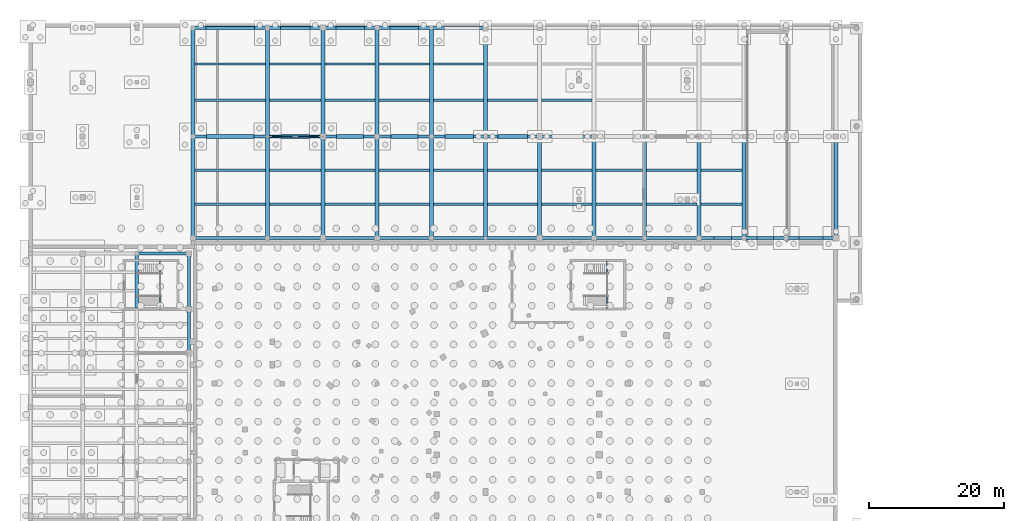
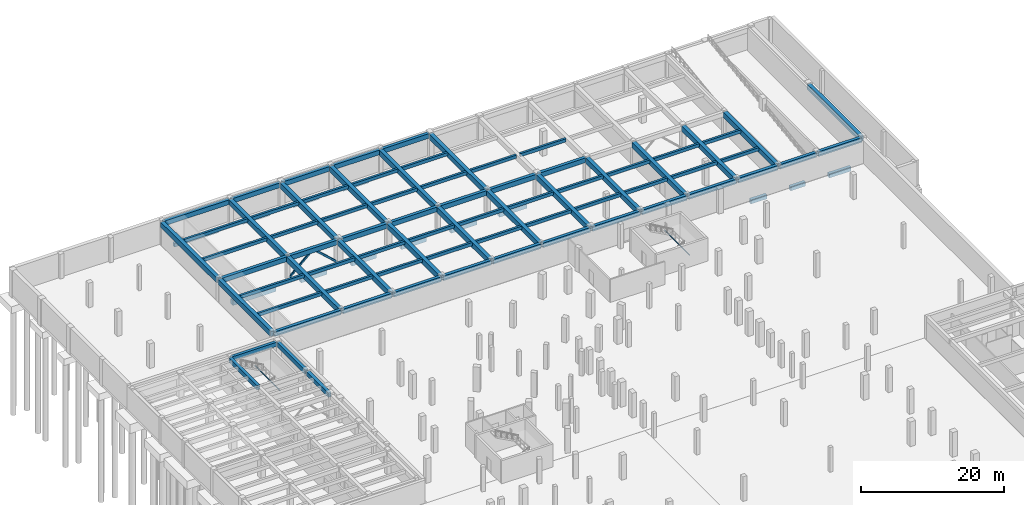
# One storey, part 11 of 36: 91 beams, 4 members.
"""IFC4 building model written with IfcOpenShell, lengths in metres."""

from ifc_helpers import new_model, si_unit, direction, frame, origin, origin_2d, place, context, subcontext, project, spatial, rectangle, hollow_rectangle, extrude, material, material_profile, profile_set, type_object, element, save


model = new_model("IFC4")

# Units and contexts
model_context = context("Model", 3, precision=1e-05, world=origin(), true_north=direction((0.0, 1.0)))
body_context = subcontext(model_context, "Body", "Model", "MODEL_VIEW")
ifc_project = project(units=[si_unit("LENGTHUNIT", "METRE"), si_unit("AREAUNIT", "SQUARE_METRE"), si_unit("VOLUMEUNIT", "CUBIC_METRE"), si_unit("PLANEANGLEUNIT", "RADIAN"), si_unit("MASSUNIT", "GRAM", prefix="KILO"), si_unit("THERMODYNAMICTEMPERATUREUNIT", "KELVIN"), si_unit("POWERUNIT", "WATT")], contexts=[model_context])

# Site, building, storey
site_placement = place(None, origin())
site = spatial("IfcSite", under=ifc_project, at=site_placement, CompositionType="ELEMENT")
building_placement = place(site_placement, origin())
building = spatial("IfcBuilding", under=site, at=building_placement, Name="Solvatero Civic Police Headquarters", CompositionType="ELEMENT")
storey_placement = place(building_placement, frame((0.0, 0.0, -8.39990234375)))
storey = spatial("IfcBuildingStorey", under=building, at=storey_placement, Name="B02", CompositionType="ELEMENT", Elevation=-8.39990234375)

# Beams
ifc_material_1 = material(Name="Concrete C35/45", Category="concrete")
ifc_material_profile_1 = material_profile(ifc_material_1, rectangle(XDim=0.449951171875, YDim=0.64990234375, at=origin_2d()), Name="GB 450x650")
ifc_profile_set_1 = profile_set([ifc_material_profile_1], Name="Concrete C35/45")
beam_type_1 = type_object("IfcBeamType", Name="BM-GB-450x650", PredefinedType="BEAM", material=ifc_profile_set_1)
beam_1_placement = place(storey_placement, frame((30.7060546875, 116.550048828125, -0.78515625), z_axis=(1.0, 0.0, 0.0), x_axis=(0.0, 1.0, 0.0)))
element("IfcBeam", 1, at=beam_1_placement, inside=storey, type_object=beam_type_1, Name="Foundation ground beam BM-R2-B02-GB-N-1-3", PredefinedType="BEAM", context=body_context, shape_type="SweptSolid", body=[
    extrude(rectangle(XDim=0.449951171875, YDim=0.64990234375, at=origin_2d()), origin(), (0.0, 0.0, 1.0), 7.18798828125),
])
beam_2_placement = place(storey_placement, frame((41.7060546875, 116.550048828125, -0.78515625), z_axis=(1.0, 0.0, 0.0), x_axis=(0.0, 1.0, 0.0)))
element("IfcBeam", 2, at=beam_2_placement, inside=storey, type_object=beam_type_1, Name="Foundation ground beam BM-R2-B02-GB-N-2-3", PredefinedType="BEAM", context=body_context, shape_type="SweptSolid", body=[
    extrude(rectangle(XDim=0.449951171875, YDim=0.64990234375, at=origin_2d()), origin(), (0.0, 0.0, 1.0), 4.387939453125),
])
for number, where, z_axis, x_axis, name in (
    (3, (49.906005859375, 116.550048828125, -0.78515625), (1.0, 0.0, 0.0), (0.0, 1.0, 0.0), "Foundation ground beam BM-R2-B02-GB-N-3-3"),
    (4, (57.906005859375, 116.550048828125, -0.78515625), (1.0, 0.0, 0.0), (0.0, 1.0, 0.0), "Foundation ground beam BM-R2-B02-GB-N-4-3"),
):
    element("IfcBeam", number, at=place(storey_placement, frame(where, z_axis=z_axis, x_axis=x_axis)), inside=storey, type_object=beam_type_1, Name=name, PredefinedType="BEAM", context=body_context, shape_type="SweptSolid", body=[
        extrude(rectangle(XDim=0.449951171875, YDim=0.64990234375, at=origin_2d()), origin(), (0.0, 0.0, 1.0), 4.18798828125),
    ])
ifc_material_profile_2 = material_profile(ifc_material_1, rectangle(XDim=0.5, YDim=0.699951171875, at=origin_2d()), Name="GB 500x700")
ifc_profile_set_2 = profile_set([ifc_material_profile_2], Name="Concrete C35/45")
beam_type_2 = type_object("IfcBeamType", Name="BM-GB-500x700", PredefinedType="BEAM", material=ifc_profile_set_2)
beam_3_placement = place(storey_placement, frame((105.7060546875, 85.5, -0.81005859375), z_axis=(1.0, 0.0, 0.0), x_axis=(0.0, 1.0, 0.0)))
element("IfcBeam", 5, at=beam_3_placement, inside=storey, type_object=beam_type_2, Name="Foundation ground beam BM-R2-B02-GB-N-10-2", PredefinedType="BEAM", context=body_context, shape_type="SweptSolid", body=[
    extrude(rectangle(XDim=0.5, YDim=0.699951171875, at=origin_2d()), origin(), (0.0, 0.0, 1.0), 2.587890625),
])
beam_4_placement = place(storey_placement, frame((112.10595703125, 85.5, -0.81005859375), z_axis=(1.0, 0.0, 0.0), x_axis=(0.0, 1.0, 0.0)))
element("IfcBeam", 6, at=beam_4_placement, inside=storey, type_object=beam_type_2, Name="Foundation ground beam BM-R2-B02-GB-N-11-2", PredefinedType="BEAM", context=body_context, shape_type="SweptSolid", body=[
    extrude(rectangle(XDim=0.5, YDim=0.699951171875, at=origin_2d()), origin(), (0.0, 0.0, 1.0), 2.387939453125),
])
beam_5_placement = place(storey_placement, frame((118.305908203125, 85.5, -0.81005859375), z_axis=(1.0, 0.0, 0.0), x_axis=(0.0, 1.0, 0.0)))
element("IfcBeam", 7, at=beam_5_placement, inside=storey, type_object=beam_type_2, Name="Foundation ground beam BM-R2-B02-GB-N-12-2", PredefinedType="BEAM", context=body_context, shape_type="SweptSolid", body=[
    extrude(rectangle(XDim=0.5, YDim=0.699951171875, at=origin_2d()), origin(), (0.0, 0.0, 1.0), 3.5380859375),
])
ifc_material_profile_3 = material_profile(ifc_material_1, rectangle(XDim=0.60009765625, YDim=0.85009765625, at=origin_2d()), Name="GB 600x850")
ifc_profile_set_3 = profile_set([ifc_material_profile_3], Name="Concrete C35/45")
beam_type_3 = type_object("IfcBeamType", Name="BM-GB-600x850", PredefinedType="BEAM", material=ifc_profile_set_3)
beam_6_placement = place(storey_placement, frame((30.805908203125, 100.5, -0.885009765625), z_axis=(1.0, 0.0, 0.0), x_axis=(0.0, 1.0, 0.0)))
element("IfcBeam", 8, at=beam_6_placement, inside=storey, type_object=beam_type_3, Name="Foundation ground beam BM-R2-B02-GB-N-1-1", PredefinedType="BEAM", context=body_context, shape_type="SweptSolid", body=[
    extrude(rectangle(XDim=0.60009765625, YDim=0.85009765625, at=origin_2d()), origin(), (0.0, 0.0, 1.0), 6.988037109375),
])
beam_7_placement = place(storey_placement, frame((41.805908203125, 100.5, -0.885009765625), z_axis=(1.0, 0.0, 0.0), x_axis=(0.0, 1.0, 0.0)))
element("IfcBeam", 9, at=beam_7_placement, inside=storey, type_object=beam_type_3, Name="Foundation ground beam BM-R2-B02-GB-N-2-1", PredefinedType="BEAM", context=body_context, shape_type="SweptSolid", body=[
    extrude(rectangle(XDim=0.60009765625, YDim=0.85009765625, at=origin_2d()), origin(), (0.0, 0.0, 1.0), 4.18798828125),
])
for number, where, z_axis, x_axis, name in (
    (10, (50.006103515625, 100.5, -0.885009765625), (1.0, 0.0, 0.0), (0.0, 1.0, 0.0), "Foundation ground beam BM-R2-B02-GB-N-3-1"),
    (11, (58.006103515625, 100.5, -0.885009765625), (1.0, 0.0, 0.0), (0.0, 1.0, 0.0), "Foundation ground beam BM-R2-B02-GB-N-4-1"),
):
    element("IfcBeam", number, at=place(storey_placement, frame(where, z_axis=z_axis, x_axis=x_axis)), inside=storey, type_object=beam_type_3, Name=name, PredefinedType="BEAM", context=body_context, shape_type="SweptSolid", body=[
        extrude(rectangle(XDim=0.60009765625, YDim=0.85009765625, at=origin_2d()), origin(), (0.0, 0.0, 1.0), 3.98779296875),
    ])
beam_8_placement = place(storey_placement, frame((66.006103515625, 100.5, -0.885009765625), z_axis=(1.0, 0.0, 0.0), x_axis=(0.0, 1.0, 0.0)))
element("IfcBeam", 12, at=beam_8_placement, inside=storey, type_object=beam_type_3, Name="Foundation ground beam BM-R2-B02-GB-N-5-1", PredefinedType="BEAM", context=body_context, shape_type="SweptSolid", body=[
    extrude(rectangle(XDim=0.60009765625, YDim=0.85009765625, at=origin_2d()), origin(), (0.0, 0.0, 1.0), 4.18798828125),
])
beam_9_placement = place(storey_placement, frame((73.805908203125, 100.5, -0.885009765625), z_axis=(1.0, 0.0, 0.0), x_axis=(0.0, 1.0, 0.0)))
element("IfcBeam", 13, at=beam_9_placement, inside=storey, type_object=beam_type_3, Name="Foundation ground beam BM-R2-B02-GB-N-6-1", PredefinedType="BEAM", context=body_context, shape_type="SweptSolid", body=[
    extrude(rectangle(XDim=0.60009765625, YDim=0.85009765625, at=origin_2d()), origin(), (0.0, 0.0, 1.0), 4.38818359375),
])
ifc_material_2 = material(Name="Concrete C40/50", Category="concrete")
ifc_material_profile_4 = material_profile(ifc_material_2, rectangle(XDim=0.35009765625, YDim=0.550048828125, at=origin_2d()), Name="RC 350x550")
ifc_profile_set_4 = profile_set([ifc_material_profile_4], Name="Concrete C40/50")
beam_type_4 = type_object("IfcBeamType", Name="BM-RC-350x550", PredefinedType="BEAM", material=ifc_profile_set_4)
for number, where, z_axis, x_axis, name in (
    (14, (29.10009765625, 90.5, 3.64501953125), (1.0, 0.0, 0.0), (0.0, 1.0, 0.0), "Primary girder BM-R2-B02-V7B-SEC-1-1-S1"),
    (15, (29.10009765625, 95.5, 3.64501953125), (1.0, 0.0, 0.0), (0.0, 1.0, 0.0), "Primary girder BM-R2-B02-V7B-SEC-1-1-S2"),
    (16, (29.10009765625, 105.85009765625, 3.64501953125), (1.0, 0.0, 0.0), (0.0, 1.0, 0.0), "Primary girder BM-R2-B02-V7B-SEC-1-2-S1"),
    (17, (29.10009765625, 111.199951171875, 3.64501953125), (1.0, 0.0, 0.0), (0.0, 1.0, 0.0), "Primary girder BM-R2-B02-V7B-SEC-1-2-S2"),
):
    element("IfcBeam", number, at=place(storey_placement, frame(where, z_axis=z_axis, x_axis=x_axis)), inside=storey, type_object=beam_type_4, Name=name, PredefinedType="BEAM", context=body_context, shape_type="SweptSolid", body=[
        extrude(rectangle(XDim=0.35009765625, YDim=0.550048828125, at=origin_2d()), origin(), (0.0, 0.0, 1.0), 10.39990234375),
    ])
for number, where, z_axis, x_axis, name in (
    (18, (40.10009765625, 90.5, 3.64501953125), (1.0, 0.0, 0.0), (0.0, 1.0, 0.0), "Primary girder BM-R2-B02-V7B-SEC-2-1-S1"),
    (19, (40.10009765625, 95.5, 3.64501953125), (1.0, 0.0, 0.0), (0.0, 1.0, 0.0), "Primary girder BM-R2-B02-V7B-SEC-2-1-S2"),
    (20, (40.10009765625, 105.85009765625, 3.64501953125), (1.0, 0.0, 0.0), (0.0, 1.0, 0.0), "Primary girder BM-R2-B02-V7B-SEC-2-2-S1"),
    (21, (40.10009765625, 111.199951171875, 3.64501953125), (1.0, 0.0, 0.0), (0.0, 1.0, 0.0), "Primary girder BM-R2-B02-V7B-SEC-2-2-S2"),
):
    element("IfcBeam", number, at=place(storey_placement, frame(where, z_axis=z_axis, x_axis=x_axis)), inside=storey, type_object=beam_type_4, Name=name, PredefinedType="BEAM", context=body_context, shape_type="SweptSolid", body=[
        extrude(rectangle(XDim=0.35009765625, YDim=0.550048828125, at=origin_2d()), origin(), (0.0, 0.0, 1.0), 7.599853515625),
    ])
for number, where, z_axis, x_axis, name in (
    (22, (48.300048828125, 90.5, 3.64501953125), (1.0, 0.0, 0.0), (0.0, 1.0, 0.0), "Primary girder BM-R2-B02-V7B-SEC-3-1-S1"),
    (23, (48.300048828125, 95.5, 3.64501953125), (1.0, 0.0, 0.0), (0.0, 1.0, 0.0), "Primary girder BM-R2-B02-V7B-SEC-3-1-S2"),
    (24, (48.300048828125, 105.85009765625, 3.64501953125), (1.0, 0.0, 0.0), (0.0, 1.0, 0.0), "Primary girder BM-R2-B02-V7B-SEC-3-2-S1"),
    (25, (48.300048828125, 111.199951171875, 3.64501953125), (1.0, 0.0, 0.0), (0.0, 1.0, 0.0), "Primary girder BM-R2-B02-V7B-SEC-3-2-S2"),
    (26, (56.300048828125, 90.5, 3.64501953125), (1.0, 0.0, 0.0), (0.0, 1.0, 0.0), "Primary girder BM-R2-B02-V7B-SEC-4-1-S1"),
    (27, (56.300048828125, 95.5, 3.64501953125), (1.0, 0.0, 0.0), (0.0, 1.0, 0.0), "Primary girder BM-R2-B02-V7B-SEC-4-1-S2"),
    (28, (56.300048828125, 105.85009765625, 3.64501953125), (1.0, 0.0, 0.0), (0.0, 1.0, 0.0), "Primary girder BM-R2-B02-V7B-SEC-4-2-S1"),
    (29, (56.300048828125, 111.199951171875, 3.64501953125), (1.0, 0.0, 0.0), (0.0, 1.0, 0.0), "Primary girder BM-R2-B02-V7B-SEC-4-2-S2"),
    (30, (64.300048828125, 90.5, 3.64501953125), (1.0, 0.0, 0.0), (0.0, 1.0, 0.0), "Primary girder BM-R2-B02-V7B-SEC-5-1-S1"),
    (31, (64.300048828125, 95.5, 3.64501953125), (1.0, 0.0, 0.0), (0.0, 1.0, 0.0), "Primary girder BM-R2-B02-V7B-SEC-5-1-S2"),
    (32, (64.300048828125, 105.85009765625, 3.64501953125), (1.0, 0.0, 0.0), (0.0, 1.0, 0.0), "Primary girder BM-R2-B02-V7B-SEC-5-2-S1"),
    (33, (64.300048828125, 111.199951171875, 3.64501953125), (1.0, 0.0, 0.0), (0.0, 1.0, 0.0), "Primary girder BM-R2-B02-V7B-SEC-5-2-S2"),
    (34, (72.300048828125, 90.5, 3.64501953125), (1.0, 0.0, 0.0), (0.0, 1.0, 0.0), "Primary girder BM-R2-B02-V7B-SEC-6-1-S1"),
    (35, (72.300048828125, 95.5, 3.64501953125), (1.0, 0.0, 0.0), (0.0, 1.0, 0.0), "Primary girder BM-R2-B02-V7B-SEC-6-1-S2"),
    (36, (72.300048828125, 105.85009765625, 3.64501953125), (1.0, 0.0, 0.0), (0.0, 1.0, 0.0), "Primary girder BM-R2-B02-V7B-SEC-6-2-S1"),
    (37, (80.300048828125, 90.5, 3.64501953125), (1.0, 0.0, 0.0), (0.0, 1.0, 0.0), "Primary girder BM-R2-B02-V7B-SEC-7-1-S1"),
    (38, (80.300048828125, 95.5, 3.64501953125), (1.0, 0.0, 0.0), (0.0, 1.0, 0.0), "Primary girder BM-R2-B02-V7B-SEC-7-1-S2"),
    (39, (80.300048828125, 105.85009765625, 3.64501953125), (1.0, 0.0, 0.0), (0.0, 1.0, 0.0), "Primary girder BM-R2-B02-V7B-SEC-7-2-S1"),
):
    element("IfcBeam", number, at=place(storey_placement, frame(where, z_axis=z_axis, x_axis=x_axis)), inside=storey, type_object=beam_type_4, Name=name, PredefinedType="BEAM", context=body_context, shape_type="SweptSolid", body=[
        extrude(rectangle(XDim=0.35009765625, YDim=0.550048828125, at=origin_2d()), origin(), (0.0, 0.0, 1.0), 7.39990234375),
    ])
for number, where, z_axis, x_axis, name in (
    (40, (88.300048828125, 90.5, 3.64501953125), (1.0, 0.0, 0.0), (0.0, 1.0, 0.0), "Primary girder BM-R2-B02-V7B-SEC-8-1-S1"),
    (41, (88.300048828125, 95.5, 3.64501953125), (1.0, 0.0, 0.0), (0.0, 1.0, 0.0), "Primary girder BM-R2-B02-V7B-SEC-8-1-S2"),
):
    element("IfcBeam", number, at=place(storey_placement, frame(where, z_axis=z_axis, x_axis=x_axis)), inside=storey, type_object=beam_type_4, Name=name, PredefinedType="BEAM", context=body_context, shape_type="SweptSolid", body=[
        extrude(rectangle(XDim=0.35009765625, YDim=0.550048828125, at=origin_2d()), origin(), (0.0, 0.0, 1.0), 6.89990234375),
    ])
for number, where, z_axis, x_axis, name in (
    (42, (95.800048828125, 90.5, 3.64501953125), (1.0, 0.0, 0.0), (0.0, 1.0, 0.0), "Primary girder BM-R2-B02-V7B-SEC-9-1-S1"),
    (43, (95.800048828125, 95.5, 3.64501953125), (1.0, 0.0, 0.0), (0.0, 1.0, 0.0), "Primary girder BM-R2-B02-V7B-SEC-9-1-S2"),
):
    element("IfcBeam", number, at=place(storey_placement, frame(where, z_axis=z_axis, x_axis=x_axis)), inside=storey, type_object=beam_type_4, Name=name, PredefinedType="BEAM", context=body_context, shape_type="SweptSolid", body=[
        extrude(rectangle(XDim=0.35009765625, YDim=0.550048828125, at=origin_2d()), origin(), (0.0, 0.0, 1.0), 7.39990234375),
    ])
for number, where, z_axis, x_axis, name in (
    (44, (103.800048828125, 90.5, 3.64501953125), (1.0, 0.0, 0.0), (0.0, 1.0, 0.0), "Primary girder BM-R2-B02-V7B-SEC-10-1-S1"),
    (45, (103.800048828125, 95.5, 3.64501953125), (1.0, 0.0, 0.0), (0.0, 1.0, 0.0), "Primary girder BM-R2-B02-V7B-SEC-10-1-S2"),
):
    element("IfcBeam", number, at=place(storey_placement, frame(where, z_axis=z_axis, x_axis=x_axis)), inside=storey, type_object=beam_type_4, Name=name, PredefinedType="BEAM", context=body_context, shape_type="SweptSolid", body=[
        extrude(rectangle(XDim=0.35009765625, YDim=0.550048828125, at=origin_2d()), origin(), (0.0, 0.0, 1.0), 6.099853515625),
    ])
ifc_material_profile_5 = material_profile(ifc_material_2, rectangle(XDim=0.449951171875, YDim=0.699951171875, at=origin_2d()), Name="RC 450x700")
ifc_profile_set_5 = profile_set([ifc_material_profile_5], Name="Concrete C40/50")
beam_type_5 = type_object("IfcBeamType", Name="BM-RC-450x700", PredefinedType="BEAM", material=ifc_profile_set_5)
beam_10_placement = place(storey_placement, frame((20.659912109375, 83.199951171875, 3.56982421875), z_axis=(1.0, 0.0, 0.0), x_axis=(0.0, 1.0, 0.0)))
element("IfcBeam", 46, at=beam_10_placement, inside=storey, type_object=beam_type_5, Name="Primary girder BM-R2-B02-V6B-GX-3-6", PredefinedType="BEAM", context=body_context, shape_type="SweptSolid", body=[
    extrude(rectangle(XDim=0.449951171875, YDim=0.699951171875, at=origin_2d()), origin(), (0.0, 0.0, 1.0), 7.380126953125),
])
ifc_material_profile_6 = material_profile(ifc_material_2, rectangle(XDim=0.5, YDim=0.75, at=origin_2d()), Name="RC 500x750")
ifc_profile_set_6 = profile_set([ifc_material_profile_6], Name="Concrete C40/50")
beam_type_6 = type_object("IfcBeamType", Name="BM-RC-500x750", PredefinedType="BEAM", material=ifc_profile_set_6)
beam_11_placement = place(storey_placement, frame((20.5, 75.159912109375, 3.544921875), z_axis=(0.0, 1.0, 0.0), x_axis=(-1.0, 0.0, 0.0)))
element("IfcBeam", 47, at=beam_11_placement, inside=storey, type_object=beam_type_6, Name="Primary girder BM-R2-B02-V6B-GY-3-5", PredefinedType="BEAM", context=body_context, shape_type="SweptSolid", body=[
    extrude(rectangle(XDim=0.5, YDim=0.75, at=origin_2d()), origin(), (0.0, 0.0, 1.0), 7.880126953125),
])
beam_12_placement = place(storey_placement, frame((28.199951171875, 68.659912109375, 3.544921875), z_axis=(0.0, 1.0, 0.0), x_axis=(-1.0, 0.0, 0.0)))
element("IfcBeam", 48, at=beam_12_placement, inside=storey, type_object=beam_type_6, Name="Primary girder BM-R2-B02-V6B-GY-4-4", PredefinedType="BEAM", context=body_context, shape_type="SweptSolid", body=[
    extrude(rectangle(XDim=0.5, YDim=0.75, at=origin_2d()), origin(), (0.0, 0.0, 1.0), 6.18017578125),
])
beam_13_placement = place(storey_placement, frame((28.199951171875, 75.159912109375, 3.544921875), z_axis=(0.0, 1.0, 0.0), x_axis=(-1.0, 0.0, 0.0)))
element("IfcBeam", 49, at=beam_13_placement, inside=storey, type_object=beam_type_6, Name="Primary girder BM-R2-B02-V6B-GY-4-5", PredefinedType="BEAM", context=body_context, shape_type="SweptSolid", body=[
    extrude(rectangle(XDim=0.5, YDim=0.75, at=origin_2d()), origin(), (0.0, 0.0, 1.0), 7.880126953125),
])
ifc_material_profile_7 = material_profile(ifc_material_2, rectangle(XDim=0.5, YDim=0.800048828125, at=origin_2d()), Name="RC 500x800")
ifc_profile_set_7 = profile_set([ifc_material_profile_7], Name="Concrete C40/50")
beam_type_7 = type_object("IfcBeamType", Name="BM-RC-500x800", PredefinedType="BEAM", material=ifc_profile_set_7)
beam_14_placement = place(storey_placement, frame((28.9599609375, 85.5, 3.52001953125), z_axis=(1.0, 0.0, 0.0), x_axis=(0.0, 1.0, 0.0)))
element("IfcBeam", 50, at=beam_14_placement, inside=storey, type_object=beam_type_7, Name="Primary girder BM-R2-B02-V7B-GX-1-1", PredefinedType="BEAM", context=body_context, shape_type="SweptSolid", body=[
    extrude(rectangle(XDim=0.5, YDim=0.800048828125, at=origin_2d()), origin(), (0.0, 0.0, 1.0), 10.679931640625),
])
beam_15_placement = place(storey_placement, frame((39.9599609375, 85.5, 3.52001953125), z_axis=(1.0, 0.0, 0.0), x_axis=(0.0, 1.0, 0.0)))
element("IfcBeam", 51, at=beam_15_placement, inside=storey, type_object=beam_type_7, Name="Primary girder BM-R2-B02-V7B-GX-2-1", PredefinedType="BEAM", context=body_context, shape_type="SweptSolid", body=[
    extrude(rectangle(XDim=0.5, YDim=0.800048828125, at=origin_2d()), origin(), (0.0, 0.0, 1.0), 7.880126953125),
])
for number, where, z_axis, x_axis, name in (
    (52, (48.159912109375, 85.5, 3.52001953125), (1.0, 0.0, 0.0), (0.0, 1.0, 0.0), "Primary girder BM-R2-B02-V7B-GX-3-1"),
    (53, (56.159912109375, 85.5, 3.52001953125), (1.0, 0.0, 0.0), (0.0, 1.0, 0.0), "Primary girder BM-R2-B02-V7B-GX-4-1"),
    (54, (64.159912109375, 85.5, 3.52001953125), (1.0, 0.0, 0.0), (0.0, 1.0, 0.0), "Primary girder BM-R2-B02-V7B-GX-5-1"),
    (55, (72.159912109375, 85.5, 3.52001953125), (1.0, 0.0, 0.0), (0.0, 1.0, 0.0), "Primary girder BM-R2-B02-V7B-GX-6-1"),
    (56, (80.159912109375, 85.5, 3.52001953125), (1.0, 0.0, 0.0), (0.0, 1.0, 0.0), "Primary girder BM-R2-B02-V7B-GX-7-1"),
):
    element("IfcBeam", number, at=place(storey_placement, frame(where, z_axis=z_axis, x_axis=x_axis)), inside=storey, type_object=beam_type_7, Name=name, PredefinedType="BEAM", context=body_context, shape_type="SweptSolid", body=[
        extrude(rectangle(XDim=0.5, YDim=0.800048828125, at=origin_2d()), origin(), (0.0, 0.0, 1.0), 7.68017578125),
    ])
beam_16_placement = place(storey_placement, frame((88.159912109375, 85.5, 3.52001953125), z_axis=(1.0, 0.0, 0.0), x_axis=(0.0, 1.0, 0.0)))
element("IfcBeam", 57, at=beam_16_placement, inside=storey, type_object=beam_type_7, Name="Primary girder BM-R2-B02-V7B-GX-8-1", PredefinedType="BEAM", context=body_context, shape_type="SweptSolid", body=[
    extrude(rectangle(XDim=0.5, YDim=0.800048828125, at=origin_2d()), origin(), (0.0, 0.0, 1.0), 7.18017578125),
])
beam_17_placement = place(storey_placement, frame((95.659912109375, 85.5, 3.52001953125), z_axis=(1.0, 0.0, 0.0), x_axis=(0.0, 1.0, 0.0)))
element("IfcBeam", 58, at=beam_17_placement, inside=storey, type_object=beam_type_7, Name="Primary girder BM-R2-B02-V7B-GX-9-1", PredefinedType="BEAM", context=body_context, shape_type="SweptSolid", body=[
    extrude(rectangle(XDim=0.5, YDim=0.800048828125, at=origin_2d()), origin(), (0.0, 0.0, 1.0), 7.68017578125),
])
beam_18_placement = place(storey_placement, frame((103.659912109375, 85.5, 3.52001953125), z_axis=(1.0, 0.0, 0.0), x_axis=(0.0, 1.0, 0.0)))
element("IfcBeam", 59, at=beam_18_placement, inside=storey, type_object=beam_type_7, Name="Primary girder BM-R2-B02-V7B-GX-10-1", PredefinedType="BEAM", context=body_context, shape_type="SweptSolid", body=[
    extrude(rectangle(XDim=0.5, YDim=0.800048828125, at=origin_2d()), origin(), (0.0, 0.0, 1.0), 6.380126953125),
])
beam_19_placement = place(storey_placement, frame((110.360107421875, 85.5, 3.52001953125), z_axis=(1.0, 0.0, 0.0), x_axis=(0.0, 1.0, 0.0)))
element("IfcBeam", 60, at=beam_19_placement, inside=storey, type_object=beam_type_7, Name="Primary girder BM-R2-B02-V7B-GX-11-1", PredefinedType="BEAM", context=body_context, shape_type="SweptSolid", body=[
    extrude(rectangle(XDim=0.5, YDim=0.800048828125, at=origin_2d()), origin(), (0.0, 0.0, 1.0), 5.8798828125),
])
beam_20_placement = place(storey_placement, frame((116.56005859375, 85.5, 3.52001953125), z_axis=(1.0, 0.0, 0.0), x_axis=(0.0, 1.0, 0.0)))
element("IfcBeam", 61, at=beam_20_placement, inside=storey, type_object=beam_type_7, Name="Primary girder BM-R2-B02-V7B-GX-12-1", PredefinedType="BEAM", context=body_context, shape_type="SweptSolid", body=[
    extrude(rectangle(XDim=0.5, YDim=0.800048828125, at=origin_2d()), origin(), (0.0, 0.0, 1.0), 7.030029296875),
])
beam_21_placement = place(storey_placement, frame((28.9599609375, 100.5, 3.52001953125), z_axis=(1.0, 0.0, 0.0), x_axis=(0.0, 1.0, 0.0)))
element("IfcBeam", 62, at=beam_21_placement, inside=storey, type_object=beam_type_7, Name="Primary girder BM-R2-B02-V7B-GX-1-2", PredefinedType="BEAM", context=body_context, shape_type="SweptSolid", body=[
    extrude(rectangle(XDim=0.5, YDim=0.800048828125, at=origin_2d()), origin(), (0.0, 0.0, 1.0), 10.679931640625),
])
beam_22_placement = place(storey_placement, frame((39.9599609375, 100.5, 3.52001953125), z_axis=(1.0, 0.0, 0.0), x_axis=(0.0, 1.0, 0.0)))
element("IfcBeam", 63, at=beam_22_placement, inside=storey, type_object=beam_type_7, Name="Primary girder BM-R2-B02-V7B-GX-2-2", PredefinedType="BEAM", context=body_context, shape_type="SweptSolid", body=[
    extrude(rectangle(XDim=0.5, YDim=0.800048828125, at=origin_2d()), origin(), (0.0, 0.0, 1.0), 7.880126953125),
])
for number, where, z_axis, x_axis, name in (
    (64, (48.159912109375, 100.5, 3.52001953125), (1.0, 0.0, 0.0), (0.0, 1.0, 0.0), "Primary girder BM-R2-B02-V7B-GX-3-2"),
    (65, (56.159912109375, 100.5, 3.52001953125), (1.0, 0.0, 0.0), (0.0, 1.0, 0.0), "Primary girder BM-R2-B02-V7B-GX-4-2"),
    (66, (64.159912109375, 100.5, 3.52001953125), (1.0, 0.0, 0.0), (0.0, 1.0, 0.0), "Primary girder BM-R2-B02-V7B-GX-5-2"),
    (67, (72.159912109375, 100.5, 3.52001953125), (1.0, 0.0, 0.0), (0.0, 1.0, 0.0), "Primary girder BM-R2-B02-V7B-GX-6-2"),
    (68, (80.159912109375, 100.5, 3.52001953125), (1.0, 0.0, 0.0), (0.0, 1.0, 0.0), "Primary girder BM-R2-B02-V7B-GX-7-2"),
):
    element("IfcBeam", number, at=place(storey_placement, frame(where, z_axis=z_axis, x_axis=x_axis)), inside=storey, type_object=beam_type_7, Name=name, PredefinedType="BEAM", context=body_context, shape_type="SweptSolid", body=[
        extrude(rectangle(XDim=0.5, YDim=0.800048828125, at=origin_2d()), origin(), (0.0, 0.0, 1.0), 7.68017578125),
    ])
beam_23_placement = place(storey_placement, frame((28.9599609375, 116.550048828125, 3.52001953125), z_axis=(1.0, 0.0, 0.0), x_axis=(0.0, 1.0, 0.0)))
element("IfcBeam", 69, at=beam_23_placement, inside=storey, type_object=beam_type_7, Name="Primary girder BM-R2-B02-V7B-GX-1-3", PredefinedType="BEAM", context=body_context, shape_type="SweptSolid", body=[
    extrude(rectangle(XDim=0.5, YDim=0.800048828125, at=origin_2d()), origin(), (0.0, 0.0, 1.0), 10.679931640625),
])
beam_24_placement = place(storey_placement, frame((39.9599609375, 116.550048828125, 3.52001953125), z_axis=(1.0, 0.0, 0.0), x_axis=(0.0, 1.0, 0.0)))
element("IfcBeam", 70, at=beam_24_placement, inside=storey, type_object=beam_type_7, Name="Primary girder BM-R2-B02-V7B-GX-2-3", PredefinedType="BEAM", context=body_context, shape_type="SweptSolid", body=[
    extrude(rectangle(XDim=0.5, YDim=0.800048828125, at=origin_2d()), origin(), (0.0, 0.0, 1.0), 7.880126953125),
])
for number, where, z_axis, x_axis, name in (
    (71, (48.159912109375, 116.550048828125, 3.52001953125), (1.0, 0.0, 0.0), (0.0, 1.0, 0.0), "Primary girder BM-R2-B02-V7B-GX-3-3"),
    (72, (56.159912109375, 116.550048828125, 3.52001953125), (1.0, 0.0, 0.0), (0.0, 1.0, 0.0), "Primary girder BM-R2-B02-V7B-GX-4-3"),
    (73, (64.159912109375, 116.550048828125, 3.52001953125), (1.0, 0.0, 0.0), (0.0, 1.0, 0.0), "Primary girder BM-R2-B02-V7B-GX-5-3"),
):
    element("IfcBeam", number, at=place(storey_placement, frame(where, z_axis=z_axis, x_axis=x_axis)), inside=storey, type_object=beam_type_7, Name=name, PredefinedType="BEAM", context=body_context, shape_type="SweptSolid", body=[
        extrude(rectangle(XDim=0.5, YDim=0.800048828125, at=origin_2d()), origin(), (0.0, 0.0, 1.0), 7.68017578125),
    ])
ifc_material_profile_8 = material_profile(ifc_material_2, rectangle(XDim=0.60009765625, YDim=0.89990234375, at=origin_2d()), Name="RC 600x900")
ifc_profile_set_8 = profile_set([ifc_material_profile_8], Name="Concrete C40/50")
beam_type_8 = type_object("IfcBeamType", Name="BM-RC-600x900", PredefinedType="BEAM", material=ifc_profile_set_8)
beam_25_placement = place(storey_placement, frame((28.800048828125, 85.659912109375, 3.469970703125), z_axis=(0.0, 1.0, 0.0), x_axis=(-1.0, 0.0, 0.0)))
element("IfcBeam", 74, at=beam_25_placement, inside=storey, type_object=beam_type_8, Name="Primary girder BM-R2-B02-V7B-GY-1-1", PredefinedType="BEAM", context=body_context, shape_type="SweptSolid", body=[
    extrude(rectangle(XDim=0.60009765625, YDim=0.89990234375, at=origin_2d()), origin(), (0.0, 0.0, 1.0), 14.68017578125),
])
beam_26_placement = place(storey_placement, frame((28.800048828125, 100.659912109375, 3.469970703125), z_axis=(0.0, 1.0, 0.0), x_axis=(-1.0, 0.0, 0.0)))
element("IfcBeam", 75, at=beam_26_placement, inside=storey, type_object=beam_type_8, Name="Primary girder BM-R2-B02-V7B-GY-1-2", PredefinedType="BEAM", context=body_context, shape_type="SweptSolid", body=[
    extrude(rectangle(XDim=0.60009765625, YDim=0.89990234375, at=origin_2d()), origin(), (0.0, 0.0, 1.0), 15.72998046875),
])
beam_27_placement = place(storey_placement, frame((39.800048828125, 85.659912109375, 3.469970703125), z_axis=(0.0, 1.0, 0.0), x_axis=(-1.0, 0.0, 0.0)))
element("IfcBeam", 76, at=beam_27_placement, inside=storey, type_object=beam_type_8, Name="Primary girder BM-R2-B02-V7B-GY-2-1", PredefinedType="BEAM", context=body_context, shape_type="SweptSolid", body=[
    extrude(rectangle(XDim=0.60009765625, YDim=0.89990234375, at=origin_2d()), origin(), (0.0, 0.0, 1.0), 14.68017578125),
])
beam_28_placement = place(storey_placement, frame((39.800048828125, 100.659912109375, 3.469970703125), z_axis=(0.0, 1.0, 0.0), x_axis=(-1.0, 0.0, 0.0)))
element("IfcBeam", 77, at=beam_28_placement, inside=storey, type_object=beam_type_8, Name="Primary girder BM-R2-B02-V7B-GY-2-2", PredefinedType="BEAM", context=body_context, shape_type="SweptSolid", body=[
    extrude(rectangle(XDim=0.60009765625, YDim=0.89990234375, at=origin_2d()), origin(), (0.0, 0.0, 1.0), 15.72998046875),
])
beam_29_placement = place(storey_placement, frame((48.0, 85.659912109375, 3.469970703125), z_axis=(0.0, 1.0, 0.0), x_axis=(-1.0, 0.0, 0.0)))
element("IfcBeam", 78, at=beam_29_placement, inside=storey, type_object=beam_type_8, Name="Primary girder BM-R2-B02-V7B-GY-3-1", PredefinedType="BEAM", context=body_context, shape_type="SweptSolid", body=[
    extrude(rectangle(XDim=0.60009765625, YDim=0.89990234375, at=origin_2d()), origin(), (0.0, 0.0, 1.0), 14.68017578125),
])
beam_30_placement = place(storey_placement, frame((48.0, 100.659912109375, 3.469970703125), z_axis=(0.0, 1.0, 0.0), x_axis=(-1.0, 0.0, 0.0)))
element("IfcBeam", 79, at=beam_30_placement, inside=storey, type_object=beam_type_8, Name="Primary girder BM-R2-B02-V7B-GY-3-2", PredefinedType="BEAM", context=body_context, shape_type="SweptSolid", body=[
    extrude(rectangle(XDim=0.60009765625, YDim=0.89990234375, at=origin_2d()), origin(), (0.0, 0.0, 1.0), 15.72998046875),
])
beam_31_placement = place(storey_placement, frame((56.0, 85.659912109375, 3.469970703125), z_axis=(0.0, 1.0, 0.0), x_axis=(-1.0, 0.0, 0.0)))
element("IfcBeam", 80, at=beam_31_placement, inside=storey, type_object=beam_type_8, Name="Primary girder BM-R2-B02-V7B-GY-4-1", PredefinedType="BEAM", context=body_context, shape_type="SweptSolid", body=[
    extrude(rectangle(XDim=0.60009765625, YDim=0.89990234375, at=origin_2d()), origin(), (0.0, 0.0, 1.0), 14.68017578125),
])
beam_32_placement = place(storey_placement, frame((56.0, 100.659912109375, 3.469970703125), z_axis=(0.0, 1.0, 0.0), x_axis=(-1.0, 0.0, 0.0)))
element("IfcBeam", 81, at=beam_32_placement, inside=storey, type_object=beam_type_8, Name="Primary girder BM-R2-B02-V7B-GY-4-2", PredefinedType="BEAM", context=body_context, shape_type="SweptSolid", body=[
    extrude(rectangle(XDim=0.60009765625, YDim=0.89990234375, at=origin_2d()), origin(), (0.0, 0.0, 1.0), 15.72998046875),
])
beam_33_placement = place(storey_placement, frame((64.0, 85.659912109375, 3.469970703125), z_axis=(0.0, 1.0, 0.0), x_axis=(-1.0, 0.0, 0.0)))
element("IfcBeam", 82, at=beam_33_placement, inside=storey, type_object=beam_type_8, Name="Primary girder BM-R2-B02-V7B-GY-5-1", PredefinedType="BEAM", context=body_context, shape_type="SweptSolid", body=[
    extrude(rectangle(XDim=0.60009765625, YDim=0.89990234375, at=origin_2d()), origin(), (0.0, 0.0, 1.0), 14.68017578125),
])
beam_34_placement = place(storey_placement, frame((64.0, 100.659912109375, 3.469970703125), z_axis=(0.0, 1.0, 0.0), x_axis=(-1.0, 0.0, 0.0)))
element("IfcBeam", 83, at=beam_34_placement, inside=storey, type_object=beam_type_8, Name="Primary girder BM-R2-B02-V7B-GY-5-2", PredefinedType="BEAM", context=body_context, shape_type="SweptSolid", body=[
    extrude(rectangle(XDim=0.60009765625, YDim=0.89990234375, at=origin_2d()), origin(), (0.0, 0.0, 1.0), 15.72998046875),
])
beam_35_placement = place(storey_placement, frame((72.0, 85.659912109375, 3.469970703125), z_axis=(0.0, 1.0, 0.0), x_axis=(-1.0, 0.0, 0.0)))
element("IfcBeam", 84, at=beam_35_placement, inside=storey, type_object=beam_type_8, Name="Primary girder BM-R2-B02-V7B-GY-6-1", PredefinedType="BEAM", context=body_context, shape_type="SweptSolid", body=[
    extrude(rectangle(XDim=0.60009765625, YDim=0.89990234375, at=origin_2d()), origin(), (0.0, 0.0, 1.0), 14.68017578125),
])
beam_36_placement = place(storey_placement, frame((72.0, 100.659912109375, 3.469970703125), z_axis=(0.0, 1.0, 0.0), x_axis=(-1.0, 0.0, 0.0)))
element("IfcBeam", 85, at=beam_36_placement, inside=storey, type_object=beam_type_8, Name="Primary girder BM-R2-B02-V7B-GY-6-2", PredefinedType="BEAM", context=body_context, shape_type="SweptSolid", body=[
    extrude(rectangle(XDim=0.60009765625, YDim=0.89990234375, at=origin_2d()), origin(), (0.0, 0.0, 1.0), 15.72998046875),
])
for number, where, z_axis, x_axis, name in (
    (86, (80.0, 85.659912109375, 3.469970703125), (0.0, 1.0, 0.0), (-1.0, 0.0, 0.0), "Primary girder BM-R2-B02-V7B-GY-7-1"),
    (87, (88.0, 85.659912109375, 3.469970703125), (0.0, 1.0, 0.0), (-1.0, 0.0, 0.0), "Primary girder BM-R2-B02-V7B-GY-8-1"),
    (88, (95.5, 85.659912109375, 3.469970703125), (0.0, 1.0, 0.0), (-1.0, 0.0, 0.0), "Primary girder BM-R2-B02-V7B-GY-9-1"),
    (89, (103.5, 85.659912109375, 3.469970703125), (0.0, 1.0, 0.0), (-1.0, 0.0, 0.0), "Primary girder BM-R2-B02-V7B-GY-10-1"),
    (90, (110.199951171875, 85.659912109375, 3.469970703125), (0.0, 1.0, 0.0), (-1.0, 0.0, 0.0), "Primary girder BM-R2-B02-V7B-GY-11-1"),
    (91, (123.75, 85.659912109375, 3.469970703125), (0.0, 1.0, 0.0), (-1.0, 0.0, 0.0), "Primary girder BM-R2-B02-V7B-GY-13-1"),
):
    element("IfcBeam", number, at=place(storey_placement, frame(where, z_axis=z_axis, x_axis=x_axis)), inside=storey, type_object=beam_type_8, Name=name, PredefinedType="BEAM", context=body_context, shape_type="SweptSolid", body=[
        extrude(rectangle(XDim=0.60009765625, YDim=0.89990234375, at=origin_2d()), origin(), (0.0, 0.0, 1.0), 14.68017578125),
    ])

# Members
ifc_material_3 = material(Name="Steel S355", Category="steel")
ifc_material_profile_9 = material_profile(ifc_material_3, hollow_rectangle(XDim=0.10009765625, YDim=0.14990234375, WallThickness=0.00634765625, InnerFilletRadius=0.00634765625, OuterFilletRadius=0.0126953125, at=origin_2d()), Name="RHS 150x100x6.3")
ifc_profile_set_9 = profile_set([ifc_material_profile_9], Name="Steel S355")
member_type_1 = type_object("IfcMemberType", Name="MB-BR-RHS150", PredefinedType="BRACE", material=ifc_profile_set_9)
for number, where, z_axis, x_axis, name in (
    (92, (89.93994140625, 75.080078125, 1.824951171875), (0.0, 1.0, 0.0), (-1.0, 0.0, 0.0), "ST-C3 B02 Landing Support Beam"),
    (93, (23.93994140625, 75.080078125, 1.824951171875), (0.0, 1.0, 0.0), (-1.0, 0.0, 0.0), "ST-C4 B02 Landing Support Beam"),
):
    element("IfcMember", number, at=place(storey_placement, frame(where, z_axis=z_axis, x_axis=x_axis)), inside=storey, type_object=member_type_1, Name=name, PredefinedType="BRACE", context=body_context, shape_type="SweptSolid", body=[
        extrude(hollow_rectangle(XDim=0.10009765625, YDim=0.14990234375, WallThickness=0.00634765625, InnerFilletRadius=0.00634765625, OuterFilletRadius=0.0126953125, at=origin_2d()), origin(), (0.0, 0.0, 1.0), 7.0400390625),
    ])
ifc_material_profile_10 = material_profile(ifc_material_3, hollow_rectangle(XDim=0.199951171875, YDim=0.300048828125, WallThickness=0.012451171875, InnerFilletRadius=0.012451171875, OuterFilletRadius=0.02490234375, at=origin_2d()), Name="RHS 300x200x12.5")
ifc_profile_set_10 = profile_set([ifc_material_profile_10], Name="Steel S355")
member_type_2 = type_object("IfcMemberType", Name="MB-BR-RHS300", PredefinedType="BRACE", material=ifc_profile_set_10)
member_1_placement = place(storey_placement, frame((40.10009765625, 100.5, 0.119873046875), z_axis=(0.74036826214, 0.0, 0.672201484985), x_axis=(0.0, 1.0, 0.0)))
element("IfcMember", 94, at=member_1_placement, inside=storey, type_object=member_type_2, Name="Chevron Brace BR-V7-INT1 Left B02", PredefinedType="BRACE", context=body_context, shape_type="SweptSolid", body=[
    extrude(hollow_rectangle(XDim=0.199951171875, YDim=0.300048828125, WallThickness=0.012451171875, InnerFilletRadius=0.012451171875, OuterFilletRadius=0.02490234375, at=origin_2d()), origin(), (0.0, 0.0, 1.0), 5.13232421875),
])
member_2_placement = place(storey_placement, frame((47.699951171875, 100.5, 0.119873046875), z_axis=(-0.740389755414, 0.0, 0.672177811356), x_axis=(0.0, -1.0, 0.0)))
element("IfcMember", 95, at=member_2_placement, inside=storey, type_object=member_type_2, Name="Chevron Brace BR-V7-INT1 Right B02", PredefinedType="BRACE", context=body_context, shape_type="SweptSolid", body=[
    extrude(hollow_rectangle(XDim=0.199951171875, YDim=0.300048828125, WallThickness=0.012451171875, InnerFilletRadius=0.012451171875, OuterFilletRadius=0.02490234375, at=origin_2d()), origin(), (0.0, 0.0, 1.0), 5.132568359375),
])

save(model, "model.ifc")
